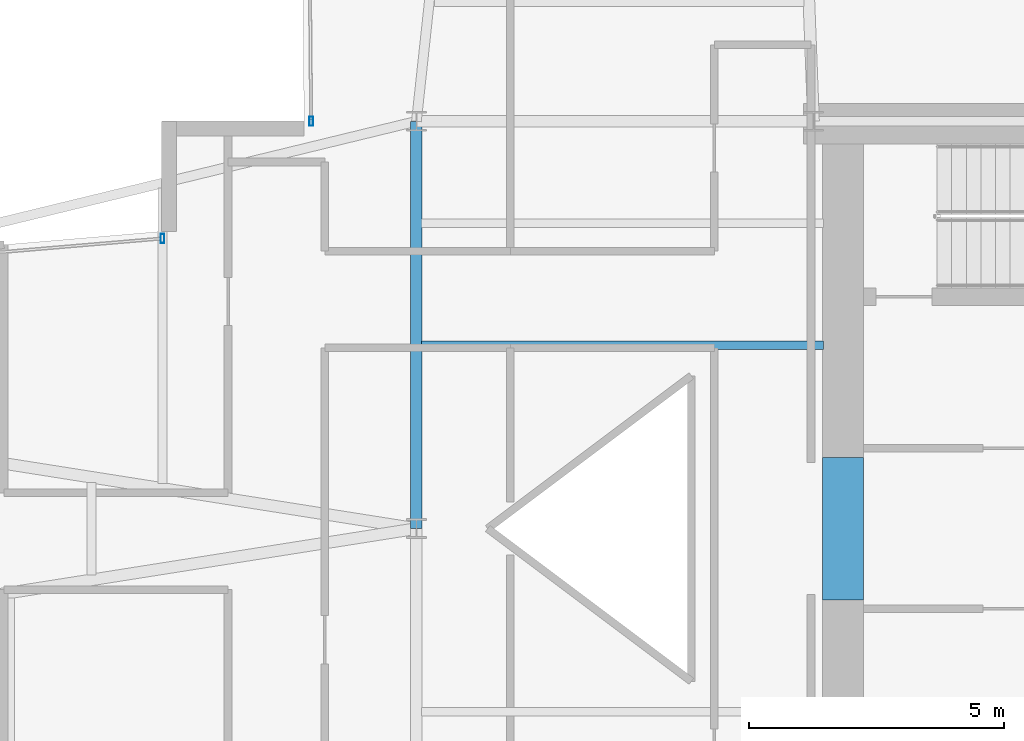
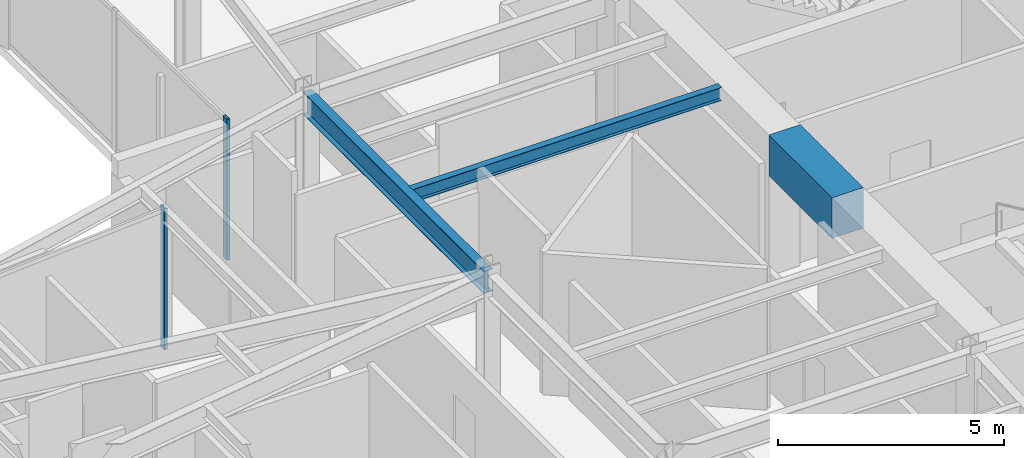
# One storey, part 10 of 25: 3 beams, 2 members, 2 elements without a shape of their own.
"""IFC4 building model written with IfcOpenShell, lengths in metres."""

from ifc_helpers import new_model, si_unit, direction, frame, origin, origin_2d, place, context, subcontext, project, spatial, rectangle, hollow_rectangle, i_section, extrude, material, layer, layer_set, material_profile, profile_set, type_object, element, aggregate, save


model = new_model("IFC4")

# Units and contexts
model_context = context("Model", 3, precision=1e-05, world=origin(), true_north=direction((0.0, 1.0)))
body_context = subcontext(model_context, "Body", "Model", "MODEL_VIEW")
ifc_project = project(units=[si_unit("LENGTHUNIT", "METRE"), si_unit("AREAUNIT", "SQUARE_METRE"), si_unit("VOLUMEUNIT", "CUBIC_METRE"), si_unit("PLANEANGLEUNIT", "RADIAN"), si_unit("MASSUNIT", "GRAM", prefix="KILO")], contexts=[model_context])

# Site, building, storey
site_placement = place(None, origin())
site = spatial("IfcSite", under=ifc_project, at=site_placement, CompositionType="ELEMENT")
building_placement = place(site_placement, origin())
building = spatial("IfcBuilding", under=site, at=building_placement, Name="Veymaron Broadcast Tower", CompositionType="ELEMENT")
storey_placement = place(building_placement, frame((0.0, 0.0, 141.14990234375)))
storey = spatial("IfcBuildingStorey", under=building, at=storey_placement, Name="L32", CompositionType="ELEMENT", Elevation=141.14990234375)

# Beams
ifc_material_1 = material(Name="Concrete C70/85", Category="concrete")
ifc_material_profile_1 = material_profile(ifc_material_1, rectangle(XDim=0.800048828125, YDim=1.10009765625, at=origin_2d()), Name="RC800X1100")
ifc_profile_set_1 = profile_set([ifc_material_profile_1], Name="Concrete C70/85")
beam_type_1 = type_object("IfcBeamType", Name="BM-CB1", PredefinedType="LINTEL", material=ifc_profile_set_1)
beam_1_placement = place(storey_placement, frame((39.580078125, 22.60009765625, 3.260009765625), z_axis=(0.0, 1.0, 0.0), x_axis=(-1.0, 0.0, 0.0)))
element("IfcBeam", 1, at=beam_1_placement, inside=storey, type_object=beam_type_1, Name="L32 Core Wall west coupling beam", PredefinedType="LINTEL", context=body_context, shape_type="SweptSolid", body=[
    extrude(rectangle(XDim=0.800048828125, YDim=1.10009765625, at=origin_2d()), origin(), (0.0, 0.0, 1.0), 2.7998046875),
])
ifc_material_2 = material(Name="Structural steel ASTM A992 Gr 50", Category="steel")
ifc_material_profile_2 = material_profile(ifc_material_2, i_section(OverallWidth=0.22802734375, OverallDepth=0.60791015625, WebThickness=0.01123046875, FlangeThickness=0.017333984375, at=origin_2d()), Name="W610X113")
ifc_profile_set_2 = profile_set([ifc_material_profile_2], Name="Structural steel ASTM A992 Gr 50")
beam_type_2 = type_object("IfcBeamType", Name="BM-FG2", PredefinedType="BEAM", material=ifc_profile_set_2)
beam_2_placement = place(storey_placement, frame((31.199951171875, 24.0, 3.506103515625), z_axis=(0.0, 1.0, 0.0), x_axis=(-1.0, 0.0, 0.0)))
element("IfcBeam", 2, at=beam_2_placement, inside=storey, type_object=beam_type_2, Name="L32 primary structural floor girder", PredefinedType="BEAM", context=body_context, shape_type="SweptSolid", body=[
    extrude(i_section(OverallWidth=0.22802734375, OverallDepth=0.60791015625, WebThickness=0.01123046875, FlangeThickness=0.017333984375, at=origin_2d()), origin(), (0.0, 0.0, 1.0), 8.0),
])
ifc_material_profile_3 = material_profile(ifc_material_2, i_section(OverallWidth=0.1708984375, OverallDepth=0.35498046875, WebThickness=0.007080078125, FlangeThickness=0.01171875, at=origin_2d()), Name="W360X51")
ifc_profile_set_3 = profile_set([ifc_material_profile_3], Name="Structural steel ASTM A992 Gr 50")
beam_type_3 = type_object("IfcBeamType", Name="BM-JS2", PredefinedType="JOIST", material=ifc_profile_set_3)
beam_3_placement = place(storey_placement, frame((31.300048828125, 27.60009765625, 3.632568359375), z_axis=(1.0, 0.0, 0.0), x_axis=(0.0, 1.0, 0.0)))
element("IfcBeam", 3, at=beam_3_placement, inside=storey, type_object=beam_type_3, Name="L32 Hub secondary joist 3", PredefinedType="JOIST", context=body_context, shape_type="SweptSolid", body=[
    extrude(i_section(OverallWidth=0.1708984375, OverallDepth=0.35498046875, WebThickness=0.007080078125, FlangeThickness=0.01171875, at=origin_2d()), origin(), (0.0, 0.0, 1.0), 7.89990234375),
])

# Curtain wall, member
ifc_material_3 = material(Name="Anodised aluminium AA 6063-T6 and laminated low-E dark glass", Category="aluminium")
ifc_layer = layer(ifc_material_3, 0.179931640625)
ifc_layer_set = layer_set([ifc_layer], Name="Anodised aluminium AA 6063-T6 and laminated low-E dark glass")
curtain_wall_type = type_object("IfcCurtainWallType", Name="CW-SYS-03", PredefinedType="NOTDEFINED", material=ifc_layer_set)
curtain_wall_1_placement = place(storey_placement, origin())
curtain_wall_1 = element("IfcCurtainWall", 4, at=curtain_wall_1_placement, inside=storey, type_object=curtain_wall_type, Name="L32 dark-glass curtain wall CW-L32-E8-1", PredefinedType="NOTDEFINED")
ifc_material_4 = material(Name="Anodised aluminium AA 6063-T6", Category="aluminium")
ifc_material_profile_4 = material_profile(ifc_material_4, hollow_rectangle(XDim=0.074951171875, YDim=0.179931640625, WallThickness=0.0048828125, at=origin_2d()), Name="AL180X75X5")
ifc_profile_set_4 = profile_set([ifc_material_profile_4], Name="Anodised aluminium AA 6063-T6")
member_type = type_object("IfcMemberType", Name="CW-MUL-02", PredefinedType="MULLION", material=ifc_profile_set_4)
member_1_placement = place(storey_placement, frame((29.132568359375, 32.001220703125, 0.0), z_axis=(0.0, 0.0, 1.0), x_axis=(1.0, 0.0, 0.0)))
member_1 = element("IfcMember", 5, at=member_1_placement, type_object=member_type, Name="CW-L32-E8-1 mullion 2", PredefinedType="MULLION", context=body_context, shape_type="SweptSolid", body=[
    extrude(hollow_rectangle(XDim=0.074951171875, YDim=0.179931640625, WallThickness=0.0048828125, at=origin_2d()), origin(), (0.0, 0.0, 1.0), 3.81005859375),
])
aggregate(curtain_wall_1, [member_1])

curtain_wall_2_placement = place(storey_placement, origin())
curtain_wall_2 = element("IfcCurtainWall", 6, at=curtain_wall_2_placement, inside=storey, type_object=curtain_wall_type, Name="L32 dark-glass curtain wall CW-L32-E11-1", PredefinedType="NOTDEFINED")
member_2_placement = place(storey_placement, frame((26.2119140625, 29.698486328125, 0.0), z_axis=(0.0, 0.0, 1.0), x_axis=(1.0, 0.0, 0.0)))
member_2 = element("IfcMember", 7, at=member_2_placement, type_object=member_type, Name="CW-L32-E11-1 mullion 0", PredefinedType="MULLION", context=body_context, shape_type="SweptSolid", body=[
    extrude(hollow_rectangle(XDim=0.074951171875, YDim=0.179931640625, WallThickness=0.0048828125, at=origin_2d()), origin(), (0.0, 0.0, 1.0), 3.81005859375),
])
aggregate(curtain_wall_2, [member_2])

save(model, "model.ifc")
